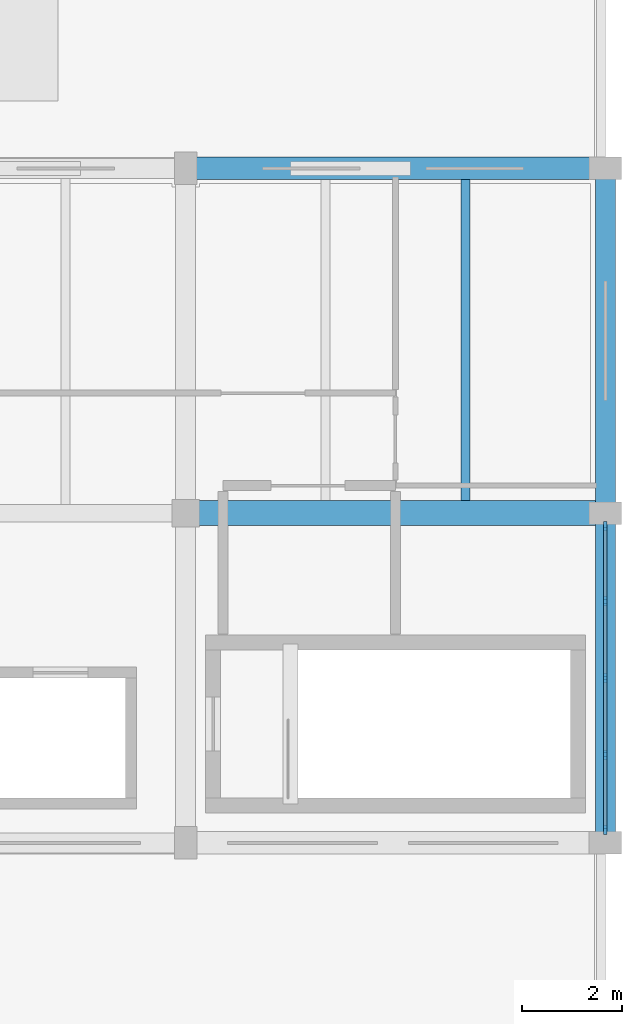
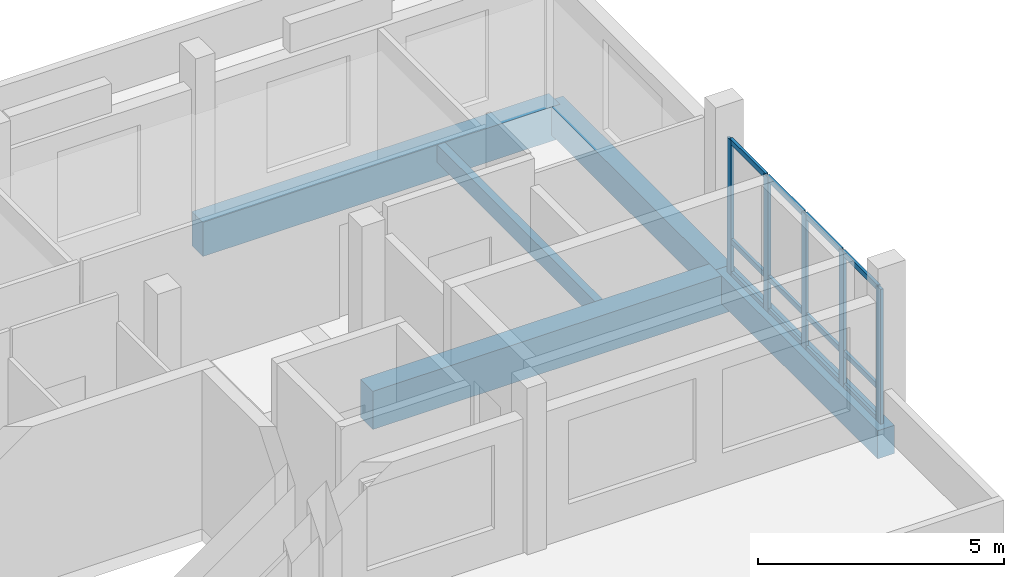
# One storey, part 2 of 6: 17 members, 5 beams, 1 element without a shape of its own.
"""IFC4 building model written with IfcOpenShell, lengths in metres."""

from ifc_helpers import new_model, si_unit, direction, frame, origin, origin_2d, place, context, subcontext, project, spatial, rectangle, extrude, material, material_profile, profile_set, type_object, element, aggregate, save


model = new_model("IFC4")

# Units and contexts
model_context = context("Model", 3, precision=1e-05, world=origin(), true_north=direction((0.0, 1.0)))
body_context = subcontext(model_context, "Body", "Model", "MODEL_VIEW")
ifc_project = project(units=[si_unit("LENGTHUNIT", "METRE"), si_unit("AREAUNIT", "SQUARE_METRE"), si_unit("VOLUMEUNIT", "CUBIC_METRE"), si_unit("PLANEANGLEUNIT", "RADIAN"), si_unit("MASSUNIT", "GRAM", prefix="KILO")], contexts=[model_context])

# Site, building, storey
site_placement = place(None, origin())
site = spatial("IfcSite", under=ifc_project, at=site_placement, CompositionType="ELEMENT")
building_placement = place(site_placement, origin())
building = spatial("IfcBuilding", under=site, at=building_placement, Name="Dornvale Research Institute", CompositionType="ELEMENT")
storey_placement = place(building_placement, frame((0.0, 0.0, 46.800048828125)))
storey = spatial("IfcBuildingStorey", under=building, at=storey_placement, Name="L10", CompositionType="ELEMENT", Elevation=46.800048828125)

# Beams
ifc_material_1 = material(Name="Concrete f'c 45 MPa (C35/45)", Category="concrete")
ifc_material_profile_1 = material_profile(ifc_material_1, rectangle(XDim=0.5, YDim=0.949951171875, at=origin_2d()), Name="RC 500x950")
ifc_profile_set_1 = profile_set([ifc_material_profile_1], Name="Concrete f'c 45 MPa (C35/45)")
beam_type_1 = type_object("IfcBeamType", Name="Beam_RC500x950_Girder", PredefinedType="BEAM", material=ifc_profile_set_1)
beam_1_placement = place(storey_placement, frame((33.0, 110.39990234375, -0.47509765625), z_axis=(1.0, 0.0, 0.0), x_axis=(0.0, 1.0, 0.0)))
element("IfcBeam", 1, at=beam_1_placement, inside=storey, type_object=beam_type_1, Name="L10 primary girder #1769", PredefinedType="BEAM", context=body_context, shape_type="SweptSolid", body=[
    extrude(rectangle(XDim=0.5, YDim=0.949951171875, at=origin_2d()), origin(), (0.0, 0.0, 1.0), 8.39990234375),
])
ifc_material_2 = material(Name="Concrete f'c 45 MPa (C35/45)", Category="concrete")
ifc_material_profile_2 = material_profile(ifc_material_2, rectangle(XDim=0.179931640625, YDim=0.43505859375, at=origin_2d()), Name="RC 180x435")
ifc_profile_set_2 = profile_set([ifc_material_profile_2], Name="Concrete f'c 45 MPa (C35/45)")
beam_type_2 = type_object("IfcBeamType", Name="Joist_RC180x435_Rib", PredefinedType="JOIST", material=ifc_profile_set_2)
beam_2_placement = place(storey_placement, frame((38.60009765625, 110.64990234375, -0.217529296875), z_axis=(0.0, 1.0, 0.0), x_axis=(-1.0, 0.0, 0.0)))
element("IfcBeam", 2, at=beam_2_placement, inside=storey, type_object=beam_type_2, Name="L10 laboratory waffle joist #860", PredefinedType="JOIST", context=body_context, shape_type="SweptSolid", body=[
    extrude(rectangle(XDim=0.179931640625, YDim=0.43505859375, at=origin_2d()), origin(), (0.0, 0.0, 1.0), 6.425048828125),
])

# Curtain wall, members
ifc_material_3 = material(Name="Low-E Argon Double Insulating Glazing Unit", Category="glass")
curtain_wall_type = type_object("IfcCurtainWallType", Name="UnitisedCurtainWall_V5_6150x3350", PredefinedType="USERDEFINED", material=ifc_material_3)
curtain_wall_placement = place(storey_placement, origin())
curtain_wall = element("IfcCurtainWall", 3, at=curtain_wall_placement, inside=storey, type_object=curtain_wall_type, Name="L10 V5 unitised curtain wall CW-34 #202", ObjectType="UNITISED CURTAIN WALL", PredefinedType="USERDEFINED")
ifc_material_4 = material(Name="Anodized Aluminum AA 6063-T6 Thermally Broken Frame", Category="aluminium")
ifc_material_profile_3 = material_profile(ifc_material_4, rectangle(XDim=0.06494140625, YDim=0.179931640625, at=origin_2d()), Name="ALU MULLION 65x180")
ifc_profile_set_3 = profile_set([ifc_material_profile_3], Name="Anodized Aluminum AA 6063-T6 Thermally Broken Frame")
member_type_1 = type_object("IfcMemberType", Name="Mullion_CW_65x180", PredefinedType="MULLION", material=ifc_profile_set_3)
member_1_placement = place(storey_placement, frame((41.39990234375, 110.142578125, 0.0), z_axis=(0.0, 0.0, 1.0), x_axis=(1.0, 0.0, 0.0)))
member_1 = element("IfcMember", 4, at=member_1_placement, type_object=member_type_1, Name="CW-34 mullion 1", PredefinedType="MULLION", context=body_context, shape_type="SweptSolid", body=[
    extrude(rectangle(XDim=0.06494140625, YDim=0.179931640625, at=origin_2d()), origin(), (0.0, 0.0, 1.0), 3.349853515625),
])
member_2_placement = place(storey_placement, frame((41.39990234375, 108.637451171875, 0.0), z_axis=(0.0, 0.0, 1.0), x_axis=(1.0, 0.0, 0.0)))
member_2 = element("IfcMember", 5, at=member_2_placement, type_object=member_type_1, Name="CW-34 mullion 2", PredefinedType="MULLION", context=body_context, shape_type="SweptSolid", body=[
    extrude(rectangle(XDim=0.06494140625, YDim=0.179931640625, at=origin_2d()), origin(), (0.0, 0.0, 1.0), 3.349853515625),
])
member_3_placement = place(storey_placement, frame((41.39990234375, 107.10009765625, 0.0), z_axis=(0.0, 0.0, 1.0), x_axis=(1.0, 0.0, 0.0)))
member_3 = element("IfcMember", 6, at=member_3_placement, type_object=member_type_1, Name="CW-34 mullion 3", PredefinedType="MULLION", context=body_context, shape_type="SweptSolid", body=[
    extrude(rectangle(XDim=0.06494140625, YDim=0.179931640625, at=origin_2d()), origin(), (0.0, 0.0, 1.0), 3.349853515625),
])
member_4_placement = place(storey_placement, frame((41.39990234375, 105.5625, 0.0), z_axis=(0.0, 0.0, 1.0), x_axis=(1.0, 0.0, 0.0)))
member_4 = element("IfcMember", 7, at=member_4_placement, type_object=member_type_1, Name="CW-34 mullion 4", PredefinedType="MULLION", context=body_context, shape_type="SweptSolid", body=[
    extrude(rectangle(XDim=0.06494140625, YDim=0.179931640625, at=origin_2d()), origin(), (0.0, 0.0, 1.0), 3.349853515625),
])
member_5_placement = place(storey_placement, frame((41.39990234375, 104.0576171875, 0.0), z_axis=(0.0, 0.0, 1.0), x_axis=(1.0, 0.0, 0.0)))
member_5 = element("IfcMember", 8, at=member_5_placement, type_object=member_type_1, Name="CW-34 mullion 5", PredefinedType="MULLION", context=body_context, shape_type="SweptSolid", body=[
    extrude(rectangle(XDim=0.06494140625, YDim=0.179931640625, at=origin_2d()), origin(), (0.0, 0.0, 1.0), 3.349853515625),
])

# Beams
ifc_material_5 = material(Name="Concrete f'c 45 MPa (C35/45)", Category="concrete")
ifc_material_profile_4 = material_profile(ifc_material_5, rectangle(XDim=0.39990234375, YDim=0.699951171875, at=origin_2d()), Name="RC 400x700")
ifc_profile_set_4 = profile_set([ifc_material_profile_4], Name="Concrete f'c 45 MPa (C35/45)")
beam_type_3 = type_object("IfcBeamType", Name="Spandrel_RC400x700_Ext", PredefinedType="SPANDREL", material=ifc_profile_set_4)
beam_3_placement = place(storey_placement, frame((41.39990234375, 103.800048828125, -0.35009765625), z_axis=(0.0, 1.0, 0.0), x_axis=(-1.0, 0.0, 0.0)))
element("IfcBeam", 9, at=beam_3_placement, inside=storey, type_object=beam_type_3, Name="L10 perimeter spandrel #1785", PredefinedType="SPANDREL", context=body_context, shape_type="SweptSolid", body=[
    extrude(rectangle(XDim=0.39990234375, YDim=0.699951171875, at=origin_2d()), origin(), (0.0, 0.0, 1.0), 6.599853515625),
])
beam_4_placement = place(storey_placement, frame((41.39990234375, 110.39990234375, -0.35009765625), z_axis=(0.0, 1.0, 0.0), x_axis=(-1.0, 0.0, 0.0)))
element("IfcBeam", 10, at=beam_4_placement, inside=storey, type_object=beam_type_3, Name="L10 perimeter spandrel #1786", PredefinedType="SPANDREL", context=body_context, shape_type="SweptSolid", body=[
    extrude(rectangle(XDim=0.39990234375, YDim=0.699951171875, at=origin_2d()), origin(), (0.0, 0.0, 1.0), 6.900146484375),
])
ifc_material_6 = material(Name="Concrete f'c 45 MPa (C35/45)", Category="concrete")
ifc_material_profile_5 = material_profile(ifc_material_6, rectangle(XDim=0.449951171875, YDim=0.85009765625, at=origin_2d()), Name="RC 450x850")
ifc_profile_set_5 = profile_set([ifc_material_profile_5], Name="Concrete f'c 45 MPa (C35/45)")
beam_type_4 = type_object("IfcBeamType", Name="Spandrel_RC450x850_Ext", PredefinedType="SPANDREL", material=ifc_profile_set_5)
beam_5_placement = place(storey_placement, frame((33.0, 117.300048828125, -0.425048828125), z_axis=(1.0, 0.0, 0.0), x_axis=(0.0, 1.0, 0.0)))
element("IfcBeam", 11, at=beam_5_placement, inside=storey, type_object=beam_type_4, Name="L10 perimeter spandrel #1774", PredefinedType="SPANDREL", context=body_context, shape_type="SweptSolid", body=[
    extrude(rectangle(XDim=0.449951171875, YDim=0.85009765625, at=origin_2d()), origin(), (0.0, 0.0, 1.0), 8.39990234375),
])

# Member
ifc_material_7 = material(Name="Anodized Aluminum AA 6063-T6 Thermally Broken Frame", Category="aluminium")
ifc_material_profile_6 = material_profile(ifc_material_7, rectangle(XDim=0.06494140625, YDim=0.135009765625, at=origin_2d()), Name="ALU TRANSOM 65x135")
ifc_profile_set_6 = profile_set([ifc_material_profile_6], Name="Anodized Aluminum AA 6063-T6 Thermally Broken Frame")
member_type_2 = type_object("IfcMemberType", Name="Transom_CW_65x135", PredefinedType="USERDEFINED", material=ifc_profile_set_6)
member_6_placement = place(storey_placement, frame((41.39990234375, 110.110107421875, 0.032470703125), z_axis=(0.0, -1.0, 0.0), x_axis=(1.0, 0.0, 0.0)))
member_6 = element("IfcMember", 12, at=member_6_placement, type_object=member_type_2, Name="CW-34 transom 1.1", ObjectType="TRANSOM", PredefinedType="USERDEFINED", context=body_context, shape_type="SweptSolid", body=[
    extrude(rectangle(XDim=0.06494140625, YDim=0.135009765625, at=origin_2d()), origin(), (0.0, 0.0, 1.0), 1.440185546875),
])

member_7_placement = place(storey_placement, frame((41.39990234375, 110.110107421875, 0.849853515625), z_axis=(0.0, -1.0, 0.0), x_axis=(1.0, 0.0, 0.0)))
member_7 = element("IfcMember", 13, at=member_7_placement, type_object=member_type_2, Name="CW-34 transom 1.2", ObjectType="TRANSOM", PredefinedType="USERDEFINED", context=body_context, shape_type="SweptSolid", body=[
    extrude(rectangle(XDim=0.06494140625, YDim=0.135009765625, at=origin_2d()), origin(), (0.0, 0.0, 1.0), 1.440185546875),
])

member_8_placement = place(storey_placement, frame((41.39990234375, 110.110107421875, 3.3173828125), z_axis=(0.0, -1.0, 0.0), x_axis=(1.0, 0.0, 0.0)))
member_8 = element("IfcMember", 14, at=member_8_placement, type_object=member_type_2, Name="CW-34 transom 1.3", ObjectType="TRANSOM", PredefinedType="USERDEFINED", context=body_context, shape_type="SweptSolid", body=[
    extrude(rectangle(XDim=0.06494140625, YDim=0.135009765625, at=origin_2d()), origin(), (0.0, 0.0, 1.0), 1.440185546875),
])

member_9_placement = place(storey_placement, frame((41.39990234375, 108.60498046875, 0.032470703125), z_axis=(0.0, -1.0, 0.0), x_axis=(1.0, 0.0, 0.0)))
member_9 = element("IfcMember", 15, at=member_9_placement, type_object=member_type_2, Name="CW-34 transom 2.1", ObjectType="TRANSOM", PredefinedType="USERDEFINED", context=body_context, shape_type="SweptSolid", body=[
    extrude(rectangle(XDim=0.06494140625, YDim=0.135009765625, at=origin_2d()), origin(), (0.0, 0.0, 1.0), 1.472412109375),
])

member_10_placement = place(storey_placement, frame((41.39990234375, 108.60498046875, 0.849853515625), z_axis=(0.0, -1.0, 0.0), x_axis=(1.0, 0.0, 0.0)))
member_10 = element("IfcMember", 16, at=member_10_placement, type_object=member_type_2, Name="CW-34 transom 2.2", ObjectType="TRANSOM", PredefinedType="USERDEFINED", context=body_context, shape_type="SweptSolid", body=[
    extrude(rectangle(XDim=0.06494140625, YDim=0.135009765625, at=origin_2d()), origin(), (0.0, 0.0, 1.0), 1.472412109375),
])

member_11_placement = place(storey_placement, frame((41.39990234375, 108.60498046875, 3.3173828125), z_axis=(0.0, -1.0, 0.0), x_axis=(1.0, 0.0, 0.0)))
member_11 = element("IfcMember", 17, at=member_11_placement, type_object=member_type_2, Name="CW-34 transom 2.3", ObjectType="TRANSOM", PredefinedType="USERDEFINED", context=body_context, shape_type="SweptSolid", body=[
    extrude(rectangle(XDim=0.06494140625, YDim=0.135009765625, at=origin_2d()), origin(), (0.0, 0.0, 1.0), 1.472412109375),
])

member_12_placement = place(storey_placement, frame((41.39990234375, 107.0673828125, 0.032470703125), z_axis=(0.0, -1.0, 0.0), x_axis=(1.0, 0.0, 0.0)))
member_12 = element("IfcMember", 18, at=member_12_placement, type_object=member_type_2, Name="CW-34 transom 3.1", ObjectType="TRANSOM", PredefinedType="USERDEFINED", context=body_context, shape_type="SweptSolid", body=[
    extrude(rectangle(XDim=0.06494140625, YDim=0.135009765625, at=origin_2d()), origin(), (0.0, 0.0, 1.0), 1.472412109375),
])

member_13_placement = place(storey_placement, frame((41.39990234375, 107.0673828125, 0.849853515625), z_axis=(0.0, -1.0, 0.0), x_axis=(1.0, 0.0, 0.0)))
member_13 = element("IfcMember", 19, at=member_13_placement, type_object=member_type_2, Name="CW-34 transom 3.2", ObjectType="TRANSOM", PredefinedType="USERDEFINED", context=body_context, shape_type="SweptSolid", body=[
    extrude(rectangle(XDim=0.06494140625, YDim=0.135009765625, at=origin_2d()), origin(), (0.0, 0.0, 1.0), 1.472412109375),
])

member_14_placement = place(storey_placement, frame((41.39990234375, 107.0673828125, 3.3173828125), z_axis=(0.0, -1.0, 0.0), x_axis=(1.0, 0.0, 0.0)))
member_14 = element("IfcMember", 20, at=member_14_placement, type_object=member_type_2, Name="CW-34 transom 3.3", ObjectType="TRANSOM", PredefinedType="USERDEFINED", context=body_context, shape_type="SweptSolid", body=[
    extrude(rectangle(XDim=0.06494140625, YDim=0.135009765625, at=origin_2d()), origin(), (0.0, 0.0, 1.0), 1.472412109375),
])

member_15_placement = place(storey_placement, frame((41.39990234375, 105.530029296875, 0.032470703125), z_axis=(0.0, -1.0, 0.0), x_axis=(1.0, 0.0, 0.0)))
member_15 = element("IfcMember", 21, at=member_15_placement, type_object=member_type_2, Name="CW-34 transom 4.1", ObjectType="TRANSOM", PredefinedType="USERDEFINED", context=body_context, shape_type="SweptSolid", body=[
    extrude(rectangle(XDim=0.06494140625, YDim=0.135009765625, at=origin_2d()), origin(), (0.0, 0.0, 1.0), 1.43994140625),
])

member_16_placement = place(storey_placement, frame((41.39990234375, 105.530029296875, 0.849853515625), z_axis=(0.0, -1.0, 0.0), x_axis=(1.0, 0.0, 0.0)))
member_16 = element("IfcMember", 22, at=member_16_placement, type_object=member_type_2, Name="CW-34 transom 4.2", ObjectType="TRANSOM", PredefinedType="USERDEFINED", context=body_context, shape_type="SweptSolid", body=[
    extrude(rectangle(XDim=0.06494140625, YDim=0.135009765625, at=origin_2d()), origin(), (0.0, 0.0, 1.0), 1.43994140625),
])

member_17_placement = place(storey_placement, frame((41.39990234375, 105.530029296875, 3.3173828125), z_axis=(0.0, -1.0, 0.0), x_axis=(1.0, 0.0, 0.0)))
member_17 = element("IfcMember", 23, at=member_17_placement, type_object=member_type_2, Name="CW-34 transom 4.3", ObjectType="TRANSOM", PredefinedType="USERDEFINED", context=body_context, shape_type="SweptSolid", body=[
    extrude(rectangle(XDim=0.06494140625, YDim=0.135009765625, at=origin_2d()), origin(), (0.0, 0.0, 1.0), 1.43994140625),
])

aggregate(curtain_wall, [member_1, member_2, member_3, member_4, member_5, member_6, member_7, member_8, member_9, member_10, member_11, member_12, member_13, member_14, member_15, member_16, member_17])

save(model, "model.ifc")
